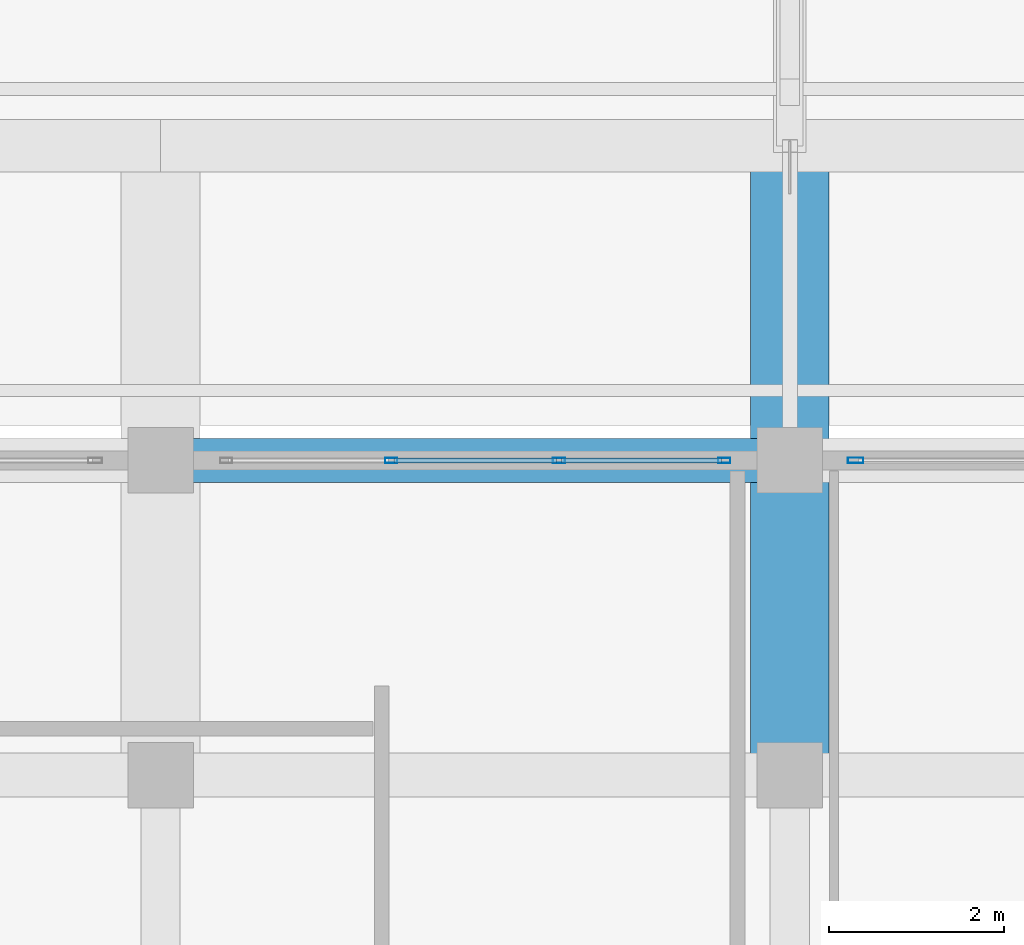
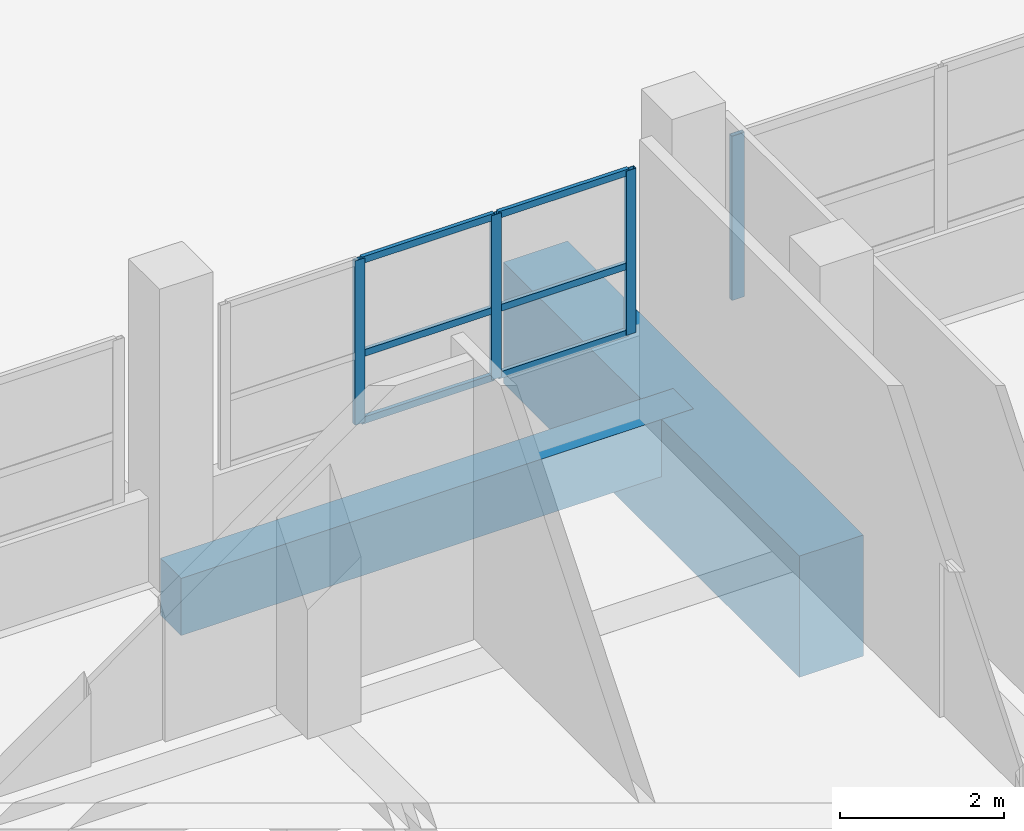
# One storey, part 91 of 141: 10 members, 2 beams, 2 elements without a shape of their own.
"""IFC4 building model written with IfcOpenShell, lengths in metres."""

from ifc_helpers import new_model, si_unit, direction, frame, origin, origin_2d, place, context, subcontext, project, spatial, rectangle, hollow_rectangle, extrude, material, layer, layer_set, material_profile, profile_set, type_object, element, aggregate, save


model = new_model("IFC4")

# Units and contexts
model_context = context("Model", 3, precision=1e-05, world=origin(), true_north=direction((0.0, 1.0)))
body_context = subcontext(model_context, "Body", "Model", "MODEL_VIEW")
ifc_project = project(units=[si_unit("LENGTHUNIT", "METRE"), si_unit("AREAUNIT", "SQUARE_METRE"), si_unit("VOLUMEUNIT", "CUBIC_METRE"), si_unit("PLANEANGLEUNIT", "RADIAN"), si_unit("MASSUNIT", "GRAM", prefix="KILO")], contexts=[model_context])

# Site, building, storey
site_placement = place(None, origin())
site = spatial("IfcSite", under=ifc_project, at=site_placement, CompositionType="ELEMENT")
building_placement = place(site_placement, origin())
building = spatial("IfcBuilding", under=site, at=building_placement, Name="Seraya Terrace Polytechnic", CompositionType="ELEMENT")
storey_placement = place(building_placement, frame((0.0, 0.0, 14.39990234375)))
storey = spatial("IfcBuildingStorey", under=building, at=storey_placement, Name="L03", CompositionType="ELEMENT", Elevation=14.39990234375)

# Beam
ifc_material_1 = material(Name="Concrete C40/50", Category="concrete")
ifc_material_profile_1 = material_profile(ifc_material_1, rectangle(XDim=0.5, YDim=0.85009765625, at=origin_2d()), Name="RC 500x850")
ifc_profile_set_1 = profile_set([ifc_material_profile_1], Name="Concrete C40/50")
beam_type_1 = type_object("IfcBeamType", Name="BM-05", PredefinedType="BEAM", material=ifc_profile_set_1)
beam_1_placement = place(storey_placement, frame((79.199951171875, 75.60009765625, -0.4248046875), z_axis=(1.0, 0.0, 0.0), x_axis=(0.0, 1.0, 0.0)))
element("IfcBeam", 1, at=beam_1_placement, inside=storey, type_object=beam_type_1, Name="Beam BM-05 L03 X (79.2..86.4, 75.6)", PredefinedType="BEAM", context=body_context, shape_type="SweptSolid", body=[
    extrude(rectangle(XDim=0.5, YDim=0.85009765625, at=origin_2d()), origin(), (0.0, 0.0, 1.0), 7.199951171875),
])

# Curtain wall, member
ifc_material_2 = material(Name="Anodised aluminium EN AW-6063 T6", Category="aluminium")
ifc_layer_1 = layer(ifc_material_2, 0.179931640625, Name="CW-16")
ifc_layer_set_1 = layer_set([ifc_layer_1], Name="Anodised aluminium EN AW-6063 T6")
curtain_wall_type_1 = type_object("IfcCurtainWallType", Name="CW-16", PredefinedType="NOTDEFINED", material=ifc_layer_set_1)
curtain_wall_1_placement = place(storey_placement, origin())
curtain_wall_1 = element("IfcCurtainWall", 2, at=curtain_wall_1_placement, inside=storey, type_object=curtain_wall_type_1, Name="Unitised curtain wall CW-16 (CW-L03-124)", PredefinedType="NOTDEFINED")
ifc_material_profile_2 = material_profile(ifc_material_2, hollow_rectangle(XDim=0.06494140625, YDim=0.179931640625, WallThickness=0.00390625, at=origin_2d()), Name="RHS 180x65x4.0")
ifc_profile_set_2 = profile_set([ifc_material_profile_2], Name="Anodised aluminium EN AW-6063 T6")
member_type_1 = type_object("IfcMemberType", Name="CWM-01", PredefinedType="MULLION", material=ifc_profile_set_2)
member_1_placement = place(storey_placement, frame((87.152587890625, 75.60009765625, 1.239990234375), z_axis=(0.0, 0.0, 1.0), x_axis=(0.0, 1.0, 0.0)))
member_1 = element("IfcMember", 3, at=member_1_placement, type_object=member_type_1, Name="CW-16 mullion 1", PredefinedType="MULLION", context=body_context, shape_type="SweptSolid", body=[
    extrude(hollow_rectangle(XDim=0.06494140625, YDim=0.179931640625, WallThickness=0.00390625, at=origin_2d()), origin(), (0.0, 0.0, 1.0), 2.440185546875),
])
aggregate(curtain_wall_1, [member_1])

# Curtain wall, members
ifc_layer_2 = layer(ifc_material_2, 0.179931640625, Name="CW-15")
ifc_layer_set_2 = layer_set([ifc_layer_2], Name="Anodised aluminium EN AW-6063 T6")
curtain_wall_type_2 = type_object("IfcCurtainWallType", Name="CW-15", PredefinedType="NOTDEFINED", material=ifc_layer_set_2)
curtain_wall_2_placement = place(storey_placement, origin())
curtain_wall_2 = element("IfcCurtainWall", 4, at=curtain_wall_2_placement, inside=storey, type_object=curtain_wall_type_2, Name="Unitised curtain wall CW-15 (CW-L03-123)", PredefinedType="NOTDEFINED")
ifc_material_profile_3 = material_profile(ifc_material_2, hollow_rectangle(XDim=0.06005859375, YDim=0.139892578125, WallThickness=0.00341796875, at=origin_2d()), Name="RHS 140x60x3.5")
ifc_profile_set_3 = profile_set([ifc_material_profile_3], Name="Anodised aluminium EN AW-6063 T6")
member_type_2 = type_object("IfcMemberType", Name="CWM-03", PredefinedType="MULLION", material=ifc_profile_set_3)
member_2_placement = place(storey_placement, frame((81.840087890625, 75.60009765625, 1.239990234375), z_axis=(0.0, 0.0, 1.0), x_axis=(0.0, 1.0, 0.0)))
member_2 = element("IfcMember", 5, at=member_2_placement, type_object=member_type_2, Name="CW-15 mullion 2", PredefinedType="MULLION", context=body_context, shape_type="SweptSolid", body=[
    extrude(hollow_rectangle(XDim=0.06005859375, YDim=0.139892578125, WallThickness=0.00341796875, at=origin_2d()), origin(), (0.0, 0.0, 1.0), 2.440185546875),
])
member_3_placement = place(storey_placement, frame((83.760009765625, 75.60009765625, 1.239990234375), z_axis=(0.0, 0.0, 1.0), x_axis=(0.0, 1.0, 0.0)))
member_3 = element("IfcMember", 6, at=member_3_placement, type_object=member_type_2, Name="CW-15 mullion 3", PredefinedType="MULLION", context=body_context, shape_type="SweptSolid", body=[
    extrude(hollow_rectangle(XDim=0.06005859375, YDim=0.139892578125, WallThickness=0.00341796875, at=origin_2d()), origin(), (0.0, 0.0, 1.0), 2.440185546875),
])
member_4_placement = place(storey_placement, frame((85.64990234375, 75.60009765625, 1.239990234375), z_axis=(0.0, 0.0, 1.0), x_axis=(0.0, 1.0, 0.0)))
member_4 = element("IfcMember", 7, at=member_4_placement, type_object=member_type_2, Name="CW-15 mullion 4", PredefinedType="MULLION", context=body_context, shape_type="SweptSolid", body=[
    extrude(hollow_rectangle(XDim=0.06005859375, YDim=0.139892578125, WallThickness=0.00341796875, at=origin_2d()), origin(), (0.0, 0.0, 1.0), 2.440185546875),
])
ifc_material_profile_4 = material_profile(ifc_material_2, hollow_rectangle(XDim=0.054931640625, YDim=0.10009765625, WallThickness=0.0029296875, at=origin_2d()), Name="RHS 100x55x3.0")
ifc_profile_set_4 = profile_set([ifc_material_profile_4], Name="Anodised aluminium EN AW-6063 T6")
member_type_3 = type_object("IfcMemberType", Name="CWT-03", PredefinedType="USERDEFINED", material=ifc_profile_set_4)
member_5_placement = place(storey_placement, frame((81.8701171875, 75.60009765625, 1.267578125), z_axis=(1.0, 0.0, 0.0), x_axis=(0.0, 1.0, 0.0)))
member_5 = element("IfcMember", 8, at=member_5_placement, type_object=member_type_3, Name="CW-15 transom 2.1", ObjectType="TRANSOM", PredefinedType="USERDEFINED", context=body_context, shape_type="SweptSolid", body=[
    extrude(hollow_rectangle(XDim=0.054931640625, YDim=0.10009765625, WallThickness=0.0029296875, at=origin_2d()), origin(), (0.0, 0.0, 1.0), 1.85986328125),
])
member_6_placement = place(storey_placement, frame((81.8701171875, 75.60009765625, 2.264892578125), z_axis=(1.0, 0.0, 0.0), x_axis=(0.0, 1.0, 0.0)))
member_6 = element("IfcMember", 9, at=member_6_placement, type_object=member_type_3, Name="CW-15 transom 2.2", ObjectType="TRANSOM", PredefinedType="USERDEFINED", context=body_context, shape_type="SweptSolid", body=[
    extrude(hollow_rectangle(XDim=0.054931640625, YDim=0.10009765625, WallThickness=0.0029296875, at=origin_2d()), origin(), (0.0, 0.0, 1.0), 1.85986328125),
])
member_7_placement = place(storey_placement, frame((81.8701171875, 75.60009765625, 3.652587890625), z_axis=(1.0, 0.0, 0.0), x_axis=(0.0, 1.0, 0.0)))
member_7 = element("IfcMember", 10, at=member_7_placement, type_object=member_type_3, Name="CW-15 transom 2.3", ObjectType="TRANSOM", PredefinedType="USERDEFINED", context=body_context, shape_type="SweptSolid", body=[
    extrude(hollow_rectangle(XDim=0.054931640625, YDim=0.10009765625, WallThickness=0.0029296875, at=origin_2d()), origin(), (0.0, 0.0, 1.0), 1.85986328125),
])
member_8_placement = place(storey_placement, frame((83.7900390625, 75.60009765625, 1.267578125), z_axis=(1.0, 0.0, 0.0), x_axis=(0.0, 1.0, 0.0)))
member_8 = element("IfcMember", 11, at=member_8_placement, type_object=member_type_3, Name="CW-15 transom 3.1", ObjectType="TRANSOM", PredefinedType="USERDEFINED", context=body_context, shape_type="SweptSolid", body=[
    extrude(hollow_rectangle(XDim=0.054931640625, YDim=0.10009765625, WallThickness=0.0029296875, at=origin_2d()), origin(), (0.0, 0.0, 1.0), 1.830078125),
])
member_9_placement = place(storey_placement, frame((83.7900390625, 75.60009765625, 2.264892578125), z_axis=(1.0, 0.0, 0.0), x_axis=(0.0, 1.0, 0.0)))
member_9 = element("IfcMember", 12, at=member_9_placement, type_object=member_type_3, Name="CW-15 transom 3.2", ObjectType="TRANSOM", PredefinedType="USERDEFINED", context=body_context, shape_type="SweptSolid", body=[
    extrude(hollow_rectangle(XDim=0.054931640625, YDim=0.10009765625, WallThickness=0.0029296875, at=origin_2d()), origin(), (0.0, 0.0, 1.0), 1.830078125),
])
member_10_placement = place(storey_placement, frame((83.7900390625, 75.60009765625, 3.652587890625), z_axis=(1.0, 0.0, 0.0), x_axis=(0.0, 1.0, 0.0)))
member_10 = element("IfcMember", 13, at=member_10_placement, type_object=member_type_3, Name="CW-15 transom 3.3", ObjectType="TRANSOM", PredefinedType="USERDEFINED", context=body_context, shape_type="SweptSolid", body=[
    extrude(hollow_rectangle(XDim=0.054931640625, YDim=0.10009765625, WallThickness=0.0029296875, at=origin_2d()), origin(), (0.0, 0.0, 1.0), 1.830078125),
])
aggregate(curtain_wall_2, [member_2, member_3, member_4, member_5, member_6, member_7, member_8, member_9, member_10])

# Beam
ifc_material_profile_5 = material_profile(ifc_material_1, rectangle(XDim=0.89990234375, YDim=1.800048828125, at=origin_2d()), Name="RC 900x1800")
ifc_profile_set_5 = profile_set([ifc_material_profile_5], Name="Concrete C40/50")
beam_type_2 = type_object("IfcBeamType", Name="TG-01", PredefinedType="USERDEFINED", material=ifc_profile_set_5)
beam_2_placement = place(storey_placement, frame((86.39990234375, 72.0, -0.89990234375), z_axis=(0.0, 1.0, 0.0), x_axis=(-1.0, 0.0, 0.0)))
element("IfcBeam", 14, at=beam_2_placement, inside=storey, type_object=beam_type_2, Name="Transfer girder TG-01 L03 #18", ObjectType="GIRDER", PredefinedType="USERDEFINED", context=body_context, shape_type="SweptSolid", body=[
    extrude(rectangle(XDim=0.89990234375, YDim=1.800048828125, at=origin_2d()), origin(), (0.0, 0.0, 1.0), 7.199951171875),
])

save(model, "model.ifc")
